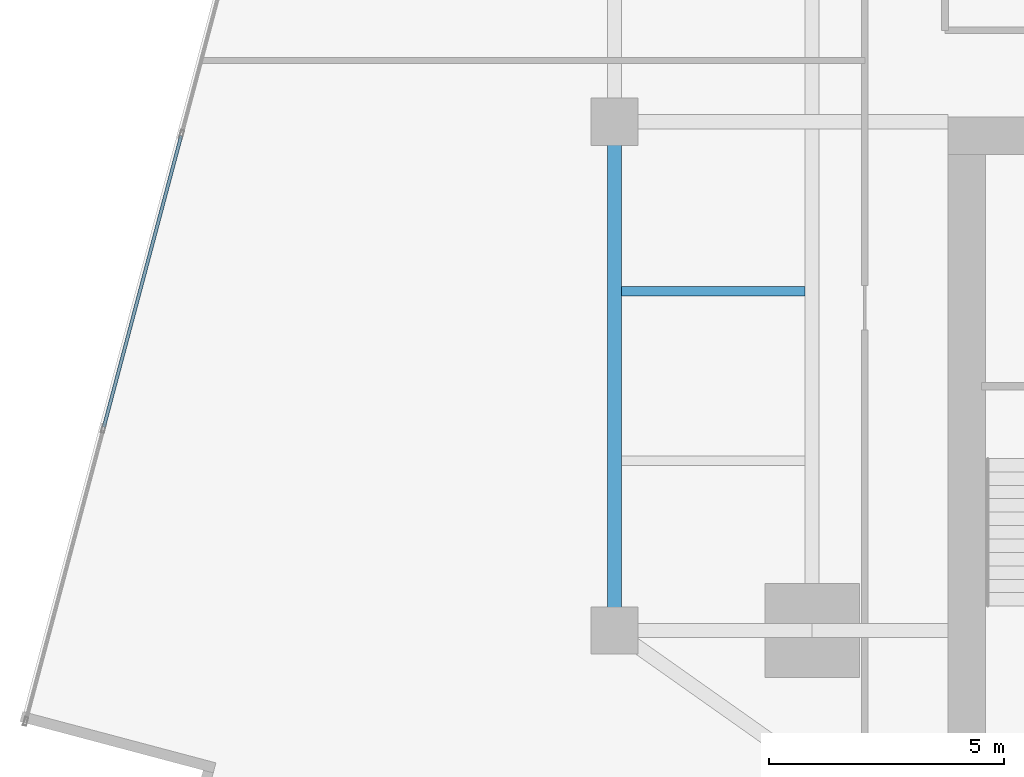
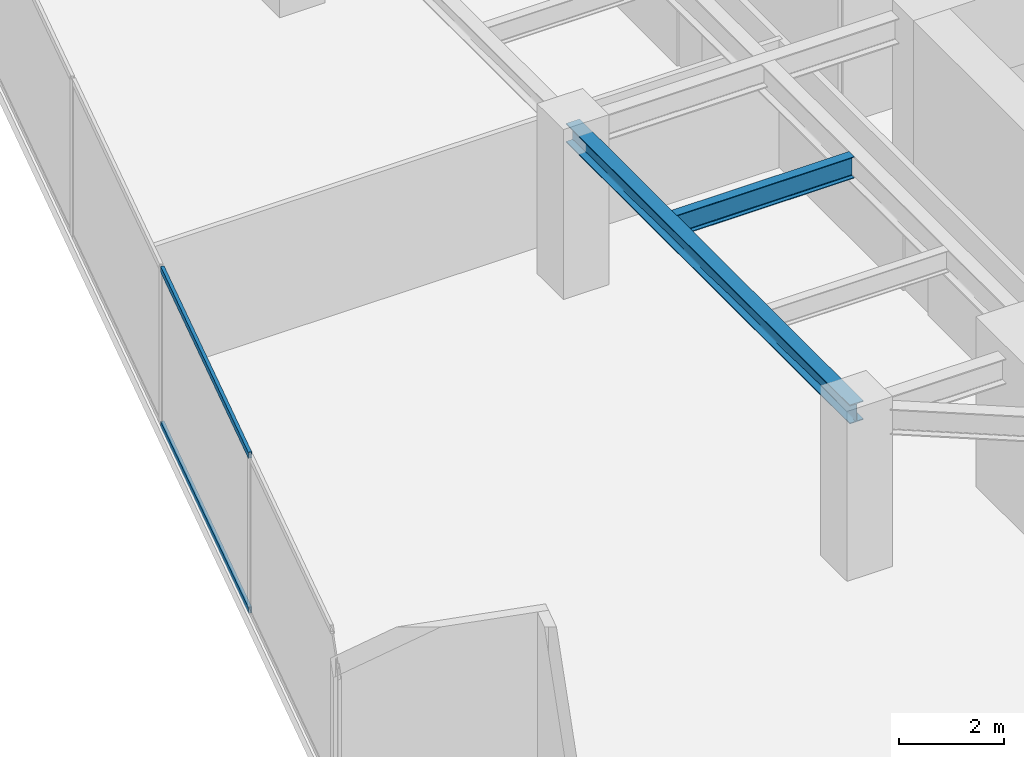
# One storey, part 7 of 27: 2 beams, 2 members, 1 element without a shape of its own.
"""IFC4 building model written with IfcOpenShell, lengths in metres."""

from ifc_helpers import new_model, si_unit, direction, frame, origin, origin_2d, place, context, subcontext, project, spatial, hollow_rectangle, i_section, extrude, source, transform, mapped, material, material_profile, profile_set, type_object, type_shapes, element, aggregate, save


model = new_model("IFC4")

# Units and contexts
model_context = context("Model", 3, precision=1e-05, world=origin(), true_north=direction((0.0, 1.0)))
body_context = subcontext(model_context, "Body", "Model", "MODEL_VIEW")
ifc_project = project(units=[si_unit("LENGTHUNIT", "METRE"), si_unit("AREAUNIT", "SQUARE_METRE"), si_unit("VOLUMEUNIT", "CUBIC_METRE"), si_unit("PLANEANGLEUNIT", "RADIAN"), si_unit("MASSUNIT", "GRAM", prefix="KILO")], contexts=[model_context])

# Site, building, storey
site_placement = place(None, origin())
site = spatial("IfcSite", under=ifc_project, at=site_placement, CompositionType="ELEMENT")
building_placement = place(site_placement, origin())
building = spatial("IfcBuilding", under=site, at=building_placement, Name="Krantzveldt Concourse Tower", CompositionType="ELEMENT")
storey_placement = place(building_placement, frame((0.0, 0.0, 101.89990234375)))
storey = spatial("IfcBuildingStorey", under=building, at=storey_placement, Name="L24", CompositionType="ELEMENT", Elevation=101.89990234375)

# Beams
ifc_material_1 = material(Name="Steel S355JR", Category="steel")
ifc_material_profile_1 = material_profile(ifc_material_1, i_section(OverallWidth=0.300048828125, OverallDepth=0.43994140625, WebThickness=0.011474609375, FlangeThickness=0.02099609375, FilletRadius=0.027099609375, at=origin_2d()), Name="Steel S355JR", Category="steel")
ifc_profile_set_1 = profile_set([ifc_material_profile_1], Name="Steel S355JR - HEA 450")
beam_type_1 = type_object("IfcBeamType", Name="BM-SP-HEA450", PredefinedType="SPANDREL", material=ifc_profile_set_1)
shared_shape_1 = source(origin(), body_context, "Body", "SweptSolid", [
    extrude(i_section(OverallWidth=0.300048828125, OverallDepth=0.43994140625, WebThickness=0.011474609375, FlangeThickness=0.02099609375, FilletRadius=0.027099609375, at=origin_2d()), origin(), (0.0, 0.0, 1.0), 10.800048828125),
])
type_shapes(beam_type_1, [shared_shape_1])
beam_1_placement = place(storey_placement, frame((21.0, 15.89990234375, 3.4501953125), z_axis=(0.0, 1.0, 0.0), x_axis=(-1.0, 0.0, 0.0)))
element("IfcBeam", 1, at=beam_1_placement, inside=storey, type_object=beam_type_1, Name="L24 Tower Girder SP-R01", PredefinedType="SPANDREL", context=body_context, shape_type="MappedRepresentation", body=[
    mapped(shared_shape_1, transform((0.0, 0.0, 0.0), x_axis=(1.0, 0.0, 0.0), y_axis=(0.0, 1.0, 0.0), z_axis=(0.0, 0.0, 1.0), scale=1.0)),
])
ifc_material_profile_2 = material_profile(ifc_material_1, i_section(OverallWidth=0.199951171875, OverallDepth=0.5, WebThickness=0.01025390625, FlangeThickness=0.01611328125, FilletRadius=0.02099609375, at=origin_2d()), Name="Steel S355JR", Category="steel")
ifc_profile_set_2 = profile_set([ifc_material_profile_2], Name="Steel S355JR - IPE 500")
beam_type_2 = type_object("IfcBeamType", Name="BM-J-IPE500", PredefinedType="JOIST", material=ifc_profile_set_2)
shared_shape_2 = source(origin(), body_context, "Body", "SweptSolid", [
    extrude(i_section(OverallWidth=0.199951171875, OverallDepth=0.5, WebThickness=0.01025390625, FlangeThickness=0.01611328125, FilletRadius=0.02099609375, at=origin_2d()), origin(), (0.0, 0.0, 1.0), 3.900146484375),
])
type_shapes(beam_type_2, [shared_shape_2])
beam_2_placement = place(storey_placement, frame((21.14990234375, 23.10009765625, 3.420166015625), z_axis=(1.0, 0.0, 0.0), x_axis=(0.0, 1.0, 0.0)))
element("IfcBeam", 2, at=beam_2_placement, inside=storey, type_object=beam_type_2, Name="L24 Secondary Floor Joist JW-2", PredefinedType="JOIST", context=body_context, shape_type="MappedRepresentation", body=[
    mapped(shared_shape_2, transform((0.0, 0.0, 0.0), x_axis=(1.0, 0.0, 0.0), y_axis=(0.0, 1.0, 0.0), z_axis=(0.0, 0.0, 1.0), scale=1.0)),
])

# Curtain wall, members
ifc_material_2 = material(Name="Anodised aluminium 6063-T6", Category="aluminium")
curtain_wall_type = type_object("IfcCurtainWallType", Name="CW2", PredefinedType="USERDEFINED", material=ifc_material_2)
curtain_wall_placement = place(storey_placement, origin())
curtain_wall = element("IfcCurtainWall", 3, at=curtain_wall_placement, inside=storey, type_object=curtain_wall_type, Name="CW-L24-F01", ObjectType="UNITISED CURTAIN WALL", PredefinedType="USERDEFINED")
ifc_material_profile_3 = material_profile(ifc_material_2, hollow_rectangle(XDim=0.070068359375, YDim=0.139892578125, WallThickness=0.0048828125, at=origin_2d()), Name="Anodised aluminium 6063-T6", Category="aluminium")
ifc_profile_set_3 = profile_set([ifc_material_profile_3], Name="Anodised aluminium 6063-T6 - ALU-TRAN 140x70x5")
member_type = type_object("IfcMemberType", Name="CW-TRN-150", PredefinedType="USERDEFINED", material=ifc_profile_set_3)
shared_shape_3 = source(origin(), body_context, "Body", "SweptSolid", [
    extrude(hollow_rectangle(XDim=0.070068359375, YDim=0.139892578125, WallThickness=0.0048828125, at=origin_2d()), origin(), (0.0, 0.0, 1.0), 6.396728515625),
])
type_shapes(member_type, [shared_shape_3])
member_1_placement = place(storey_placement, frame((11.802001953125, 26.400146484375, 0.03515625), z_axis=(-0.256707571528, -0.966489121884, 0.0), x_axis=(0.966489121884, -0.256707571528, 0.0)))
member_1 = element("IfcMember", 4, at=member_1_placement, type_object=member_type, Name="CW-Z12 transom 5.1", ObjectType="TRANSOM", PredefinedType="USERDEFINED", context=body_context, shape_type="MappedRepresentation", body=[
    mapped(shared_shape_3, transform((0.0, 0.0, 0.0), x_axis=(1.0, 0.0, 0.0), y_axis=(0.0, 1.0, 0.0), z_axis=(0.0, 0.0, 1.0), scale=1.0)),
])
member_2_placement = place(storey_placement, frame((11.802001953125, 26.400146484375, 3.635009765625), z_axis=(-0.256707571528, -0.966489121884, 0.0), x_axis=(0.966489121884, -0.256707571528, 0.0)))
member_2 = element("IfcMember", 5, at=member_2_placement, type_object=member_type, Name="CW-Z12 transom 5.2", ObjectType="TRANSOM", PredefinedType="USERDEFINED", context=body_context, shape_type="MappedRepresentation", body=[
    mapped(shared_shape_3, transform((0.0, 0.0, 0.0), x_axis=(1.0, 0.0, 0.0), y_axis=(0.0, 1.0, 0.0), z_axis=(0.0, 0.0, 1.0), scale=1.0)),
])
aggregate(curtain_wall, [member_1, member_2])

save(model, "model.ifc")
